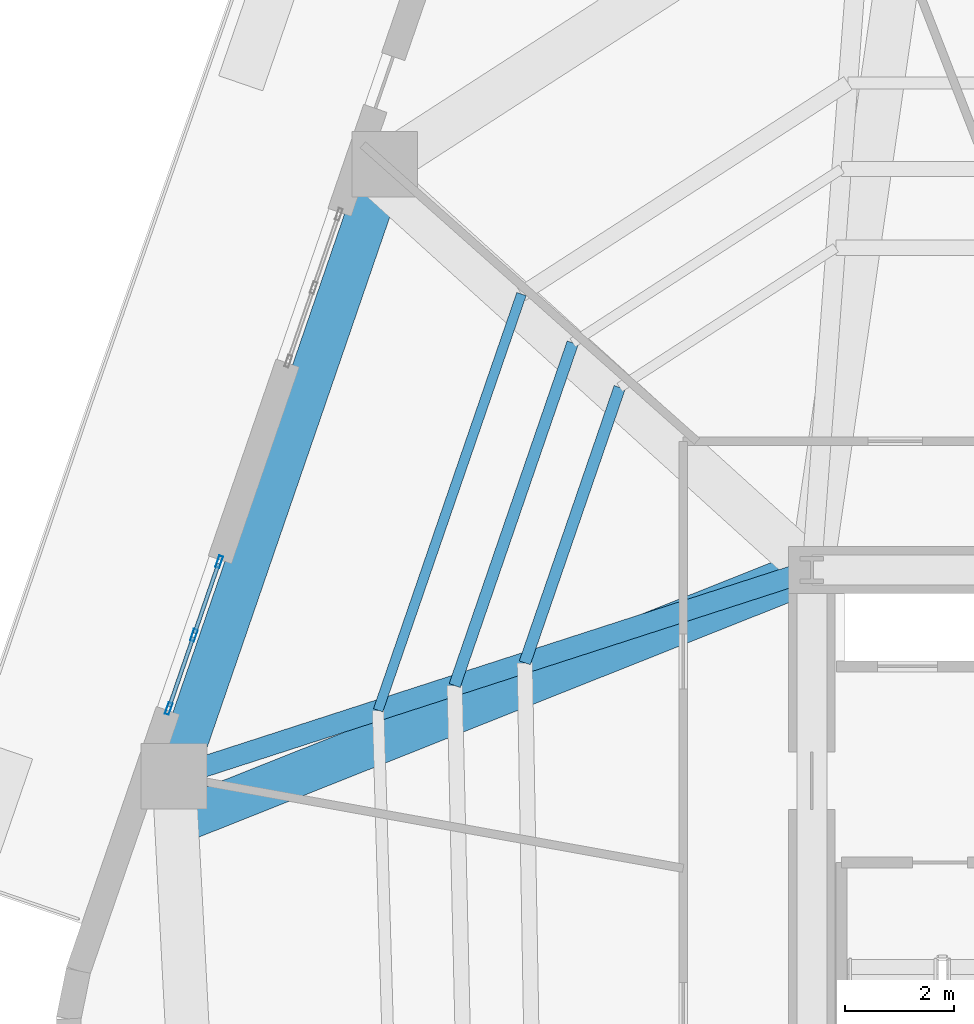
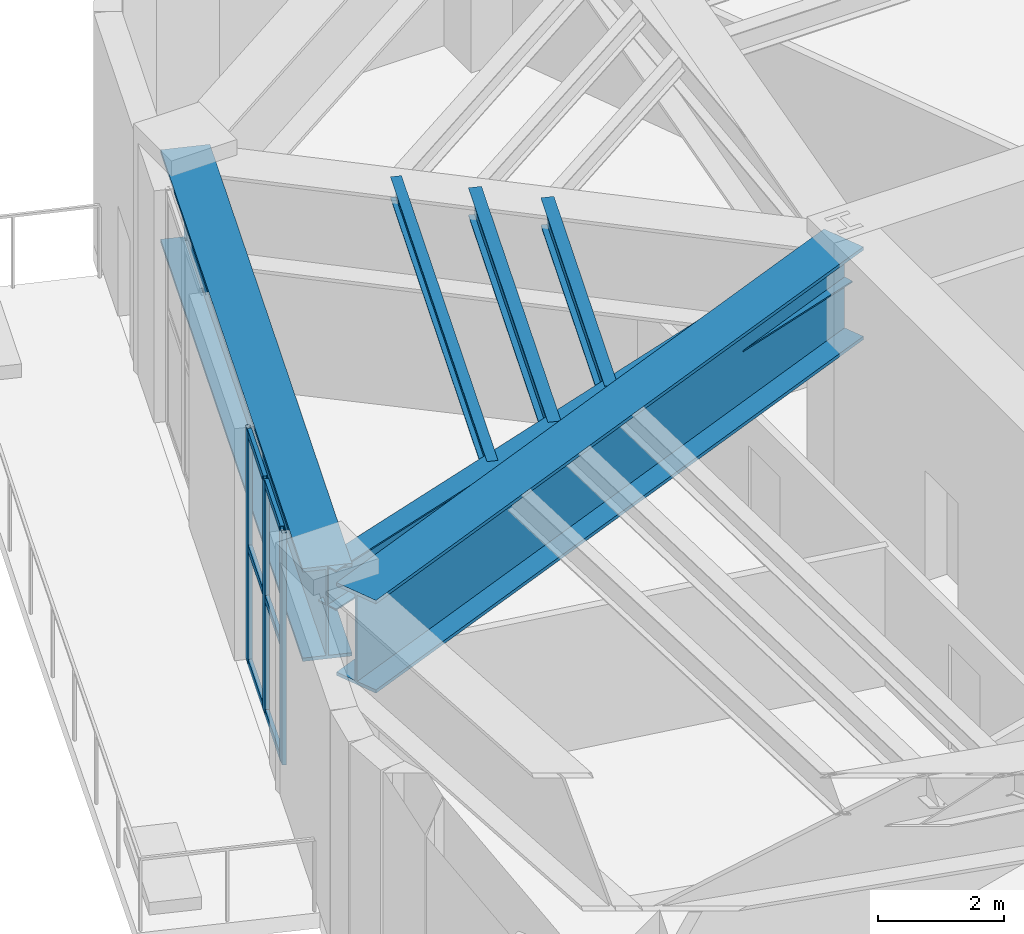
# One storey, part 6 of 22: 9 members, 6 beams, 1 element without a shape of its own.
"""IFC4 building model written with IfcOpenShell, lengths in metres."""

from ifc_helpers import new_model, si_unit, direction, frame, origin, origin_2d, place, context, subcontext, project, spatial, hollow_rectangle, i_section, extrude, material, layer, layer_set, material_profile, profile_set, type_object, element, aggregate, save


model = new_model("IFC4")

# Units and contexts
model_context = context("Model", 3, precision=1e-05, world=origin(), true_north=direction((0.0, 1.0)))
body_context = subcontext(model_context, "Body", "Model", "MODEL_VIEW")
ifc_project = project(units=[si_unit("LENGTHUNIT", "METRE"), si_unit("AREAUNIT", "SQUARE_METRE"), si_unit("VOLUMEUNIT", "CUBIC_METRE"), si_unit("PLANEANGLEUNIT", "RADIAN"), si_unit("MASSUNIT", "GRAM", prefix="KILO")], contexts=[model_context])

# Site, building, storey
site_placement = place(None, origin())
site = spatial("IfcSite", under=ifc_project, at=site_placement, CompositionType="ELEMENT")
building_placement = place(site_placement, origin())
building = spatial("IfcBuilding", under=site, at=building_placement, Name="Kilnhurst Terrace Hotel", CompositionType="ELEMENT")
storey_placement = place(building_placement, frame((0.0, 0.0, 139.5)))
storey = spatial("IfcBuildingStorey", under=building, at=storey_placement, Name="L34", CompositionType="ELEMENT", Elevation=139.5)

# Beams
ifc_material_1 = material(Name="Steel ASTM A992 Grade 50", Category="steel")
ifc_material_profile_1 = material_profile(ifc_material_1, i_section(OverallWidth=0.380615234375, OverallDepth=0.773193359375, WebThickness=0.0166015625, FlangeThickness=0.027099609375, at=origin_2d()), Name="W30X173")
ifc_profile_set_1 = profile_set([ifc_material_profile_1], Name="Steel ASTM A992 Grade 50")
beam_type_1 = type_object("IfcBeamType", Name="BM-STL-W30X173", PredefinedType="BEAM", material=ifc_profile_set_1)
beam_1_placement = place(storey_placement, frame((-9.0, 7.5, 4.113037109375), z_axis=(-0.951445549065, -0.307817100182, 0.0), x_axis=(0.307817100182, -0.951445549065, 0.0)))
element("IfcBeam", 1, at=beam_1_placement, inside=storey, type_object=beam_type_1, Name="L34 Radial Floor Beam 10", PredefinedType="BEAM", context=body_context, shape_type="SweptSolid", body=[
    extrude(i_section(OverallWidth=0.380615234375, OverallDepth=0.773193359375, WebThickness=0.0166015625, FlangeThickness=0.027099609375, at=origin_2d()), origin(), (0.0, 0.0, 1.0), 12.244384765625),
])
ifc_material_profile_2 = material_profile(ifc_material_1, i_section(OverallWidth=0.180908203125, OverallDepth=0.417236328125, WebThickness=0.010986328125, FlangeThickness=0.018310546875, at=origin_2d()), Name="W16X57")
ifc_profile_set_2 = profile_set([ifc_material_profile_2], Name="Steel ASTM A992 Grade 50")
beam_type_2 = type_object("IfcBeamType", Name="JST-STL-W16X57", PredefinedType="JOIST", material=ifc_profile_set_2)
beam_2_placement = place(storey_placement, frame((-14.303955078125, 12.53955078125, 4.291015625), z_axis=(-0.325612620381, -0.945503263584, 0.0), x_axis=(0.945503263584, -0.325612620381, 0.0)))
element("IfcBeam", 2, at=beam_2_placement, inside=storey, type_object=beam_type_2, Name="L34 Secondary Floor Steel Joist OUT.9", PredefinedType="JOIST", context=body_context, shape_type="SweptSolid", body=[
    extrude(i_section(OverallWidth=0.180908203125, OverallDepth=0.417236328125, WebThickness=0.010986328125, FlangeThickness=0.018310546875, at=origin_2d()), origin(), (0.0, 0.0, 1.0), 8.040771484375),
])
ifc_material_profile_3 = material_profile(ifc_material_1, i_section(OverallWidth=0.2138671875, OverallDepth=0.549072265625, WebThickness=0.0146484375, FlangeThickness=0.023681640625, at=origin_2d()), Name="W21X93")
ifc_profile_set_3 = profile_set([ifc_material_profile_3], Name="Steel ASTM A992 Grade 50")
beam_type_3 = type_object("IfcBeamType", Name="JST-STL-W21X93", PredefinedType="JOIST", material=ifc_profile_set_3)
beam_3_placement = place(storey_placement, frame((-12.510009765625, 10.8349609375, 4.22509765625), z_axis=(-0.325586238877, -0.945512348441, 0.0), x_axis=(0.945512348441, -0.325586238877, 0.0)))
element("IfcBeam", 3, at=beam_3_placement, inside=storey, type_object=beam_type_3, Name="L34 Secondary Floor Steel Joist IN.9", PredefinedType="JOIST", context=body_context, shape_type="SweptSolid", body=[
    extrude(i_section(OverallWidth=0.2138671875, OverallDepth=0.549072265625, WebThickness=0.0146484375, FlangeThickness=0.023681640625, at=origin_2d()), origin(), (0.0, 0.0, 1.0), 5.321044921875),
])
beam_4_placement = place(storey_placement, frame((-13.367919921875, 11.650146484375, 4.22509765625), z_axis=(-0.32560318288, -0.94550651362, 0.0), x_axis=(0.94550651362, -0.32560318288, 0.0)))
element("IfcBeam", 4, at=beam_4_placement, inside=storey, type_object=beam_type_3, Name="L34 Secondary Floor Steel Joist MID.9", PredefinedType="JOIST", context=body_context, shape_type="SweptSolid", body=[
    extrude(i_section(OverallWidth=0.2138671875, OverallDepth=0.549072265625, WebThickness=0.0146484375, FlangeThickness=0.023681640625, at=origin_2d()), origin(), (0.0, 0.0, 1.0), 6.62158203125),
])

# Curtain wall, members
ifc_material_2 = material(Name="Anodized Aluminium Alloy 6063-T6 and Low-E Glass", Category="aluminium")
ifc_layer = layer(ifc_material_2, 0.219970703125, Name="Anodized Aluminium Alloy 6063-T6 and Low-E Glass")
ifc_layer_set = layer_set([ifc_layer], Name="Anodized Aluminium Alloy 6063-T6 and Low-E Glass")
curtain_wall_type = type_object("IfcCurtainWallType", Name="CW-SKY-L34", PredefinedType="NOTDEFINED", material=ifc_layer_set)
curtain_wall_placement = place(storey_placement, origin())
curtain_wall = element("IfcCurtainWall", 5, at=curtain_wall_placement, inside=storey, type_object=curtain_wall_type, Name="L34 Curtain Wall CW-L34-F5-2", PredefinedType="NOTDEFINED")
ifc_material_3 = material(Name="Extruded Aluminium Alloy 6063-T6", Category="aluminium")
ifc_material_profile_4 = material_profile(ifc_material_3, hollow_rectangle(XDim=0.074951171875, YDim=0.219970703125, WallThickness=0.00390625, at=origin_2d()), Name="CWM75X220")
ifc_profile_set_4 = profile_set([ifc_material_profile_4], Name="Extruded Aluminium Alloy 6063-T6")
member_type_1 = type_object("IfcMemberType", Name="MEM-CWM75X220", PredefinedType="MULLION", material=ifc_profile_set_4)
member_1_placement = place(storey_placement, frame((-19.823974609375, 7.650634765625, 0.0), z_axis=(0.0, 0.0, 1.0), x_axis=(0.94551193854, -0.32558742924, 0.0)))
member_1 = element("IfcMember", 6, at=member_1_placement, type_object=member_type_1, Name="CWS-3 mullion 1", PredefinedType="MULLION", context=body_context, shape_type="SweptSolid", body=[
    extrude(hollow_rectangle(XDim=0.074951171875, YDim=0.219970703125, WallThickness=0.00390625, at=origin_2d()), origin(), (0.0, 0.0, 1.0), 4.5),
])
member_2_placement = place(storey_placement, frame((-20.285888671875, 6.3095703125, 0.0), z_axis=(0.0, 0.0, 1.0), x_axis=(0.94551193854, -0.32558742924, 0.0)))
member_2 = element("IfcMember", 7, at=member_2_placement, type_object=member_type_1, Name="CWS-3 mullion 2", PredefinedType="MULLION", context=body_context, shape_type="SweptSolid", body=[
    extrude(hollow_rectangle(XDim=0.074951171875, YDim=0.219970703125, WallThickness=0.00390625, at=origin_2d()), origin(), (0.0, 0.0, 1.0), 4.5),
])
member_3_placement = place(storey_placement, frame((-20.747802734375, 4.96826171875, 0.0), z_axis=(0.0, 0.0, 1.0), x_axis=(0.94551193854, -0.32558742924, 0.0)))
member_3 = element("IfcMember", 8, at=member_3_placement, type_object=member_type_1, Name="CWS-3 mullion 3", PredefinedType="MULLION", context=body_context, shape_type="SweptSolid", body=[
    extrude(hollow_rectangle(XDim=0.074951171875, YDim=0.219970703125, WallThickness=0.00390625, at=origin_2d()), origin(), (0.0, 0.0, 1.0), 4.5),
])
ifc_material_profile_5 = material_profile(ifc_material_3, hollow_rectangle(XDim=0.070068359375, YDim=0.135009765625, WallThickness=0.00390625, at=origin_2d()), Name="CWT70X135")
ifc_profile_set_5 = profile_set([ifc_material_profile_5], Name="Extruded Aluminium Alloy 6063-T6")
member_type_2 = type_object("IfcMemberType", Name="MEM-CWT70X135", PredefinedType="USERDEFINED", material=ifc_profile_set_5)
member_4_placement = place(storey_placement, frame((-19.836181640625, 7.615234375, 0.034912109375), z_axis=(-0.325643441602, -0.945492648804, 0.0), x_axis=(0.945492648804, -0.325643441602, 0.0)))
member_4 = element("IfcMember", 9, at=member_4_placement, type_object=member_type_2, Name="CWS-3 transom 1.1", ObjectType="TRANSOM", PredefinedType="USERDEFINED", context=body_context, shape_type="SweptSolid", body=[
    extrude(hollow_rectangle(XDim=0.070068359375, YDim=0.135009765625, WallThickness=0.00390625, at=origin_2d()), origin(), (0.0, 0.0, 1.0), 1.343505859375),
])
member_5_placement = place(storey_placement, frame((-19.836181640625, 7.615234375, 2.25), z_axis=(-0.325643441602, -0.945492648804, 0.0), x_axis=(0.945492648804, -0.325643441602, 0.0)))
member_5 = element("IfcMember", 10, at=member_5_placement, type_object=member_type_2, Name="CWS-3 transom 1.2", ObjectType="TRANSOM", PredefinedType="USERDEFINED", context=body_context, shape_type="SweptSolid", body=[
    extrude(hollow_rectangle(XDim=0.070068359375, YDim=0.135009765625, WallThickness=0.00390625, at=origin_2d()), origin(), (0.0, 0.0, 1.0), 1.343505859375),
])
member_6_placement = place(storey_placement, frame((-19.836181640625, 7.615234375, 4.465087890625), z_axis=(-0.325643441602, -0.945492648804, 0.0), x_axis=(0.945492648804, -0.325643441602, 0.0)))
member_6 = element("IfcMember", 11, at=member_6_placement, type_object=member_type_2, Name="CWS-3 transom 1.3", ObjectType="TRANSOM", PredefinedType="USERDEFINED", context=body_context, shape_type="SweptSolid", body=[
    extrude(hollow_rectangle(XDim=0.070068359375, YDim=0.135009765625, WallThickness=0.00390625, at=origin_2d()), origin(), (0.0, 0.0, 1.0), 1.343505859375),
])
member_7_placement = place(storey_placement, frame((-20.298095703125, 6.27392578125, 0.034912109375), z_axis=(-0.325643441602, -0.945492648804, 0.0), x_axis=(0.945492648804, -0.325643441602, 0.0)))
member_7 = element("IfcMember", 12, at=member_7_placement, type_object=member_type_2, Name="CWS-3 transom 2.1", ObjectType="TRANSOM", PredefinedType="USERDEFINED", context=body_context, shape_type="SweptSolid", body=[
    extrude(hollow_rectangle(XDim=0.070068359375, YDim=0.135009765625, WallThickness=0.00390625, at=origin_2d()), origin(), (0.0, 0.0, 1.0), 1.343505859375),
])
member_8_placement = place(storey_placement, frame((-20.298095703125, 6.27392578125, 2.25), z_axis=(-0.325643441602, -0.945492648804, 0.0), x_axis=(0.945492648804, -0.325643441602, 0.0)))
member_8 = element("IfcMember", 13, at=member_8_placement, type_object=member_type_2, Name="CWS-3 transom 2.2", ObjectType="TRANSOM", PredefinedType="USERDEFINED", context=body_context, shape_type="SweptSolid", body=[
    extrude(hollow_rectangle(XDim=0.070068359375, YDim=0.135009765625, WallThickness=0.00390625, at=origin_2d()), origin(), (0.0, 0.0, 1.0), 1.343505859375),
])
member_9_placement = place(storey_placement, frame((-20.298095703125, 6.27392578125, 4.465087890625), z_axis=(-0.325643441602, -0.945492648804, 0.0), x_axis=(0.945492648804, -0.325643441602, 0.0)))
member_9 = element("IfcMember", 14, at=member_9_placement, type_object=member_type_2, Name="CWS-3 transom 2.3", ObjectType="TRANSOM", PredefinedType="USERDEFINED", context=body_context, shape_type="SweptSolid", body=[
    extrude(hollow_rectangle(XDim=0.070068359375, YDim=0.135009765625, WallThickness=0.00390625, at=origin_2d()), origin(), (0.0, 0.0, 1.0), 1.343505859375),
])
aggregate(curtain_wall, [member_1, member_2, member_3, member_4, member_5, member_6, member_7, member_8, member_9])

# Beams
ifc_material_4 = material(Name="Steel ASTM A572 Grade 50", Category="steel")
ifc_material_profile_6 = material_profile(ifc_material_4, i_section(OverallWidth=0.800048828125, OverallDepth=1.800048828125, WebThickness=0.0400390625, FlangeThickness=0.06494140625, at=origin_2d()), Name="PG1800X800")
ifc_profile_set_6 = profile_set([ifc_material_profile_6], Name="Steel ASTM A572 Grade 50")
beam_type_4 = type_object("IfcBeamType", Name="TG-STEP-1800", PredefinedType="USERDEFINED", material=ifc_profile_set_6)
beam_5_placement = place(storey_placement, frame((-16.800048828125, 14.910888671875, 3.60009765625), z_axis=(-0.325590408593, -0.945510912593, 0.0), x_axis=(0.945510912593, -0.325590408593, 0.0)))
element("IfcBeam", 15, at=beam_5_placement, inside=storey, type_object=beam_type_4, Name="L34 Zone Step Perimeter Transfer Girder 9", ObjectType="GIRDER", PredefinedType="USERDEFINED", context=body_context, shape_type="SweptSolid", body=[
    extrude(i_section(OverallWidth=0.800048828125, OverallDepth=1.800048828125, WebThickness=0.0400390625, FlangeThickness=0.06494140625, at=origin_2d()), origin(), (0.0, 0.0, 1.0), 11.82421875),
])
beam_6_placement = place(storey_placement, frame((-9.0, 7.5, 3.60009765625), z_axis=(-0.929302184763, -0.369320253161, 0.0), x_axis=(0.369320253161, -0.929302184763, 0.0)))
element("IfcBeam", 16, at=beam_6_placement, inside=storey, type_object=beam_type_4, Name="L34 Zone Step Radial Transfer Girder 10", ObjectType="GIRDER", PredefinedType="USERDEFINED", context=body_context, shape_type="SweptSolid", body=[
    extrude(i_section(OverallWidth=0.800048828125, OverallDepth=1.800048828125, WebThickness=0.0400390625, FlangeThickness=0.06494140625, at=origin_2d()), origin(), (0.0, 0.0, 1.0), 12.488525390625),
])

save(model, "model.ifc")
